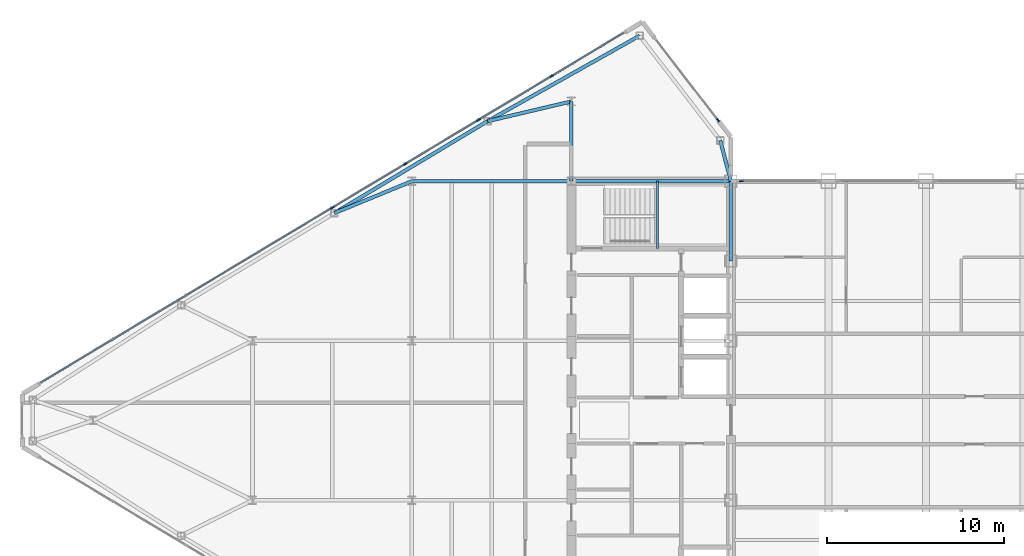
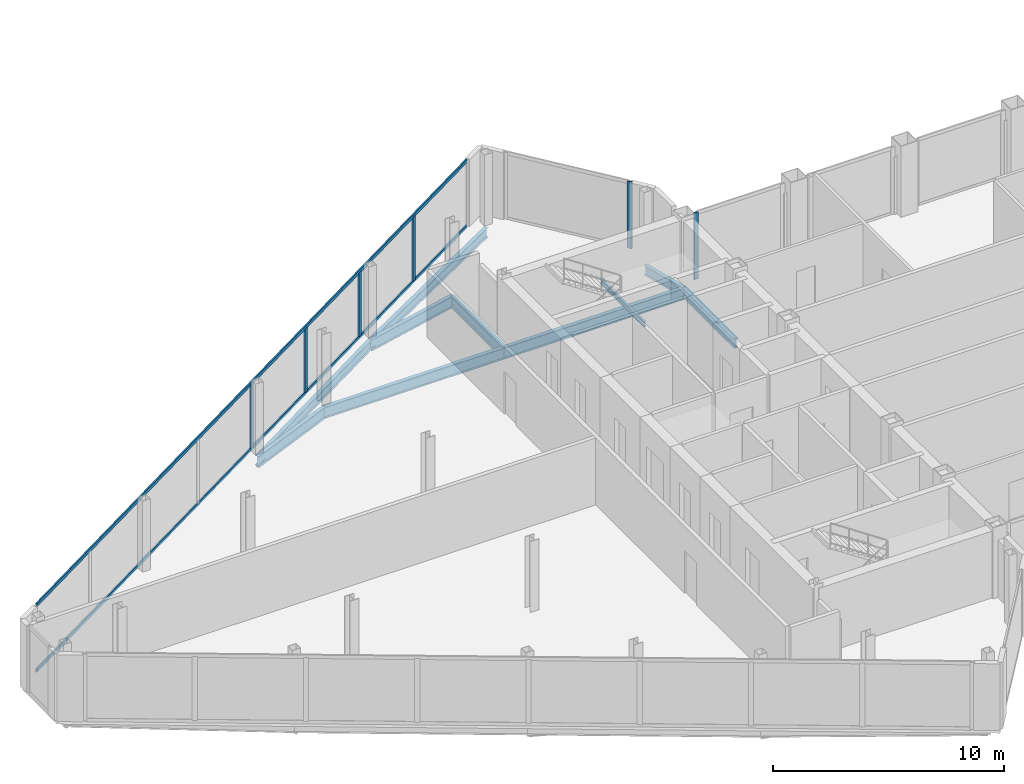
# One storey, part 11 of 29: 10 beams, 8 members, 3 elements without a shape of their own.
"""IFC4 building model written with IfcOpenShell, lengths in metres."""

from ifc_helpers import new_model, si_unit, direction, frame, origin, origin_2d, place, context, subcontext, project, spatial, rectangle, i_section, extrude, source, transform, mapped, material, layer, layer_set, material_profile, profile_set, type_object, type_shapes, element, aggregate, save


model = new_model("IFC4")

# Units and contexts
model_context = context("Model", 3, precision=1e-05, world=origin(), true_north=direction((0.0, 1.0)))
body_context = subcontext(model_context, "Body", "Model", "MODEL_VIEW")
ifc_project = project(units=[si_unit("LENGTHUNIT", "METRE"), si_unit("AREAUNIT", "SQUARE_METRE"), si_unit("VOLUMEUNIT", "CUBIC_METRE"), si_unit("PLANEANGLEUNIT", "RADIAN"), si_unit("MASSUNIT", "GRAM", prefix="KILO")], contexts=[model_context])

# Site, building, storey
site_placement = place(None, origin())
site = spatial("IfcSite", under=ifc_project, at=site_placement, CompositionType="ELEMENT")
building_placement = place(site_placement, origin())
building = spatial("IfcBuilding", under=site, at=building_placement, Name="Seokmaru Belvedere", CompositionType="ELEMENT")
storey_placement = place(building_placement, frame((0.0, 0.0, 258.14990234375)))
storey = spatial("IfcBuildingStorey", under=building, at=storey_placement, Name="L68", CompositionType="ELEMENT", Elevation=258.14990234375)

# Beams
ifc_material_1 = material(Name="Steel SM355 (355 MPa)", Category="steel")
ifc_material_profile_1 = material_profile(ifc_material_1, i_section(OverallWidth=0.199951171875, OverallDepth=0.5, WebThickness=0.010009765625, FlangeThickness=0.01611328125, at=origin_2d()), Name="H-500x200x10x16")
ifc_profile_set_1 = profile_set([ifc_material_profile_1], Name="Steel SM355 (355 MPa)")
beam_type_1 = type_object("IfcBeamType", Name="Perimeter Spandrel Beam H-500", PredefinedType="SPANDREL", material=ifc_profile_set_1)
shared_shape_1 = source(origin(), body_context, "Body", "SweptSolid", [
    extrude(i_section(OverallWidth=0.199951171875, OverallDepth=0.5, WebThickness=0.010009765625, FlangeThickness=0.01611328125, at=origin_2d()), origin(), (0.0, 0.0, 1.0), 4.5),
])
beam_1_placement = place(storey_placement, frame((-27.5, 9.0, -0.469970703125), z_axis=(0.0, 1.0, 0.0), x_axis=(-1.0, 0.0, 0.0)))
element("IfcBeam", 1, at=beam_1_placement, inside=storey, type_object=beam_type_1, Name="L68 W Portal Spine Spandrel 5", PredefinedType="SPANDREL", context=body_context, shape_type="MappedRepresentation", body=[
    mapped(shared_shape_1, transform((0.0, 0.0, 0.0), scale=1.0)),
])
ifc_material_profile_2 = material_profile(ifc_material_1, i_section(OverallWidth=0.199951171875, OverallDepth=0.60009765625, WebThickness=0.010986328125, FlangeThickness=0.01708984375, at=origin_2d()), Name="H-600x200x11x17")
ifc_profile_set_2 = profile_set([ifc_material_profile_2], Name="Steel SM355 (355 MPa)")
beam_type_2 = type_object("IfcBeamType", Name="Primary Floor Girder H-600", PredefinedType="BEAM", material=ifc_profile_set_2)
shared_shape_2 = source(origin(), body_context, "Body", "SweptSolid", [
    extrude(i_section(OverallWidth=0.199951171875, OverallDepth=0.60009765625, WebThickness=0.010986328125, FlangeThickness=0.01708984375, at=origin_2d()), origin(), (0.0, 0.0, 1.0), 9.0),
])
for number, where, z_axis, x_axis, name in (
    (2, (-36.5, 13.5, -0.52001953125), (1.0, 0.0, 0.0), (0.0, 1.0, 0.0), "L68 W Core Tie Girder 4"),
    (3, (-45.5, 13.5, -0.52001953125), (1.0, 0.0, 0.0), (0.0, 1.0, 0.0), "L68 W Wing Primary Girder 4"),
):
    element("IfcBeam", number, at=place(storey_placement, frame(where, z_axis=z_axis, x_axis=x_axis)), inside=storey, type_object=beam_type_2, Name=name, PredefinedType="BEAM", context=body_context, shape_type="MappedRepresentation", body=[
        mapped(shared_shape_2, transform((0.0, 0.0, 0.0), scale=1.0)),
    ])
shared_shape_3 = source(origin(), body_context, "Body", "SweptSolid", [
    extrude(i_section(OverallWidth=0.199951171875, OverallDepth=0.60009765625, WebThickness=0.010986328125, FlangeThickness=0.01708984375, at=origin_2d()), origin(), (0.0, 0.0, 1.0), 4.5),
])
beam_2_placement = place(storey_placement, frame((-36.5, 13.5, -0.52001953125), z_axis=(0.0, 1.0, 0.0), x_axis=(-1.0, 0.0, 0.0)))
element("IfcBeam", 4, at=beam_2_placement, inside=storey, type_object=beam_type_2, Name="L68 W Core Shoulder Girder N", PredefinedType="BEAM", context=body_context, shape_type="MappedRepresentation", body=[
    mapped(shared_shape_3, transform((0.0, 0.0, 0.0), scale=1.0)),
])
shared_shape_4 = source(origin(), body_context, "Body", "SweptSolid", [
    extrude(i_section(OverallWidth=0.199951171875, OverallDepth=0.5, WebThickness=0.010009765625, FlangeThickness=0.01611328125, at=origin_2d()), origin(), (0.0, 0.0, 1.0), 9.842041015625),
])
beam_3_placement = place(storey_placement, frame((-32.649658203125, 21.71044921875, -0.469970703125), z_axis=(-0.871782151818, -0.489893743349, 0.0), x_axis=(0.489893743349, -0.871782151818, 0.0)))
element("IfcBeam", 5, at=beam_3_placement, inside=storey, type_object=beam_type_1, Name="L68 W Faceted Flank Spandrel N-1", PredefinedType="SPANDREL", context=body_context, shape_type="MappedRepresentation", body=[
    mapped(shared_shape_4, transform((0.0, 0.0, 0.0), scale=1.0)),
])
shared_shape_5 = source(origin(), body_context, "Body", "SweptSolid", [
    extrude(i_section(OverallWidth=0.199951171875, OverallDepth=0.5, WebThickness=0.010009765625, FlangeThickness=0.01611328125, at=origin_2d()), origin(), (0.0, 0.0, 1.0), 10.087646484375),
])
beam_4_placement = place(storey_placement, frame((-41.229736328125, 16.888916015625, -0.469970703125), z_axis=(-0.857499332045, -0.514485078056, 0.0), x_axis=(0.514485078056, -0.857499332045, 0.0)))
element("IfcBeam", 6, at=beam_4_placement, inside=storey, type_object=beam_type_1, Name="L68 W Faceted Flank Spandrel N-2", PredefinedType="SPANDREL", context=body_context, shape_type="MappedRepresentation", body=[
    mapped(shared_shape_5, transform((0.0, 0.0, 0.0), scale=1.0)),
])
shared_shape_6 = source(origin(), body_context, "Body", "SweptSolid", [
    extrude(i_section(OverallWidth=0.199951171875, OverallDepth=0.5, WebThickness=0.010009765625, FlangeThickness=0.01611328125, at=origin_2d()), origin(), (0.0, 0.0, 1.0), 2.373046875),
])
type_shapes(beam_type_1, [shared_shape_1, shared_shape_4, shared_shape_5, shared_shape_6])
beam_5_placement = place(storey_placement, frame((-28.10009765625, 15.7958984375, -0.469970703125), z_axis=(0.252882558842, -0.967496982648, 0.0), x_axis=(0.967496982648, 0.252882558842, 0.0)))
element("IfcBeam", 7, at=beam_5_placement, inside=storey, type_object=beam_type_1, Name="L68 W Shoulder Spine Spandrel N", PredefinedType="SPANDREL", context=body_context, shape_type="MappedRepresentation", body=[
    mapped(shared_shape_6, transform((0.0, 0.0, 0.0), scale=1.0)),
])
shared_shape_7 = source(origin(), body_context, "Body", "SweptSolid", [
    extrude(i_section(OverallWidth=0.199951171875, OverallDepth=0.60009765625, WebThickness=0.010986328125, FlangeThickness=0.01708984375, at=origin_2d()), origin(), (0.0, 0.0, 1.0), 4.8583984375),
])
beam_6_placement = place(storey_placement, frame((-41.229736328125, 16.888916015625, -0.52001953125), z_axis=(0.97349948295, 0.228689214211, 0.0), x_axis=(-0.228689214211, 0.97349948295, 0.0)))
element("IfcBeam", 8, at=beam_6_placement, inside=storey, type_object=beam_type_2, Name="L68 W Flank Radial Floor Girder N-1", PredefinedType="BEAM", context=body_context, shape_type="MappedRepresentation", body=[
    mapped(shared_shape_7, transform((0.0, 0.0, 0.0), scale=1.0)),
])
shared_shape_8 = source(origin(), body_context, "Body", "SweptSolid", [
    extrude(i_section(OverallWidth=0.199951171875, OverallDepth=0.60009765625, WebThickness=0.010986328125, FlangeThickness=0.01708984375, at=origin_2d()), origin(), (0.0, 0.0, 1.0), 4.73583984375),
])
type_shapes(beam_type_2, [shared_shape_2, shared_shape_3, shared_shape_7, shared_shape_8])
beam_7_placement = place(storey_placement, frame((-49.8798828125, 11.698974609375, -0.52001953125), z_axis=(0.924860562953, 0.380306375301, 0.0), x_axis=(-0.380306375301, 0.924860562953, 0.0)))
element("IfcBeam", 9, at=beam_7_placement, inside=storey, type_object=beam_type_2, Name="L68 W Flank Radial Floor Girder N-2", PredefinedType="BEAM", context=body_context, shape_type="MappedRepresentation", body=[
    mapped(shared_shape_8, transform((0.0, 0.0, 0.0), scale=1.0)),
])

# Curtain wall, members
ifc_material_2 = material(Name="Bronze Triple Insulating Glass", Category="glass")
ifc_layer = layer(ifc_material_2, 0.219970703125)
ifc_layer_set = layer_set([ifc_layer], Name="Bronze Triple Insulating Glass")
curtain_wall_type = type_object("IfcCurtainWallType", Name="Sky-Gate Bridge Panorama Curtain Wall System CW-6", PredefinedType="NOTDEFINED", material=ifc_layer_set)
curtain_wall_1_placement = place(storey_placement, origin())
curtain_wall_1 = element("IfcCurtainWall", 10, at=curtain_wall_1_placement, inside=storey, type_object=curtain_wall_type, Name="L68 Curtain Wall WF3", PredefinedType="NOTDEFINED")
ifc_material_3 = material(Name="Anodised Bronze Aluminium", Category="aluminium")
ifc_material_profile_3 = material_profile(ifc_material_3, rectangle(XDim=0.074951171875, YDim=0.179931640625, at=origin_2d()), Name="CW-T-75x180")
ifc_profile_set_3 = profile_set([ifc_material_profile_3], Name="Anodised Bronze Aluminium")
member_type_1 = type_object("IfcMemberType", Name="Bronze Unitised Transom 75x180", PredefinedType="USERDEFINED", material=ifc_profile_set_3)
shared_shape_9 = source(origin(), body_context, "Body", "SweptSolid", [
    extrude(rectangle(XDim=0.074951171875, YDim=0.179931640625, at=origin_2d()), origin(), (0.0, 0.0, 1.0), 38.356689453125),
])
type_shapes(member_type_1, [shared_shape_9])
member_1_placement = place(storey_placement, frame((-33.5546875, 21.8671875, 0.03759765625), z_axis=(-0.857492925713, -0.514495755428, 0.0), x_axis=(0.514495755428, -0.857492925713, 0.0)))
member_1 = element("IfcMember", 11, at=member_1_placement, type_object=member_type_1, Name="CW:L68:WF3 Continuous Transom 1", ObjectType="TRANSOM", PredefinedType="USERDEFINED", context=body_context, shape_type="MappedRepresentation", body=[
    mapped(shared_shape_9, transform((0.0, 0.0, 0.0), scale=1.0)),
])
member_2_placement = place(storey_placement, frame((-33.5546875, 21.8671875, 3.49267578125), z_axis=(-0.857492925713, -0.514495755428, 0.0), x_axis=(0.514495755428, -0.857492925713, 0.0)))
member_2 = element("IfcMember", 12, at=member_2_placement, type_object=member_type_1, Name="CW:L68:WF3 Continuous Transom 2", ObjectType="TRANSOM", PredefinedType="USERDEFINED", context=body_context, shape_type="MappedRepresentation", body=[
    mapped(shared_shape_9, transform((0.0, 0.0, 0.0), scale=1.0)),
])

# Curtain wall, member
curtain_wall_2_placement = place(storey_placement, origin())
curtain_wall_2 = element("IfcCurtainWall", 13, at=curtain_wall_2_placement, inside=storey, type_object=curtain_wall_type, Name="L68 Curtain Wall WF2", PredefinedType="NOTDEFINED")
ifc_material_profile_4 = material_profile(ifc_material_3, rectangle(XDim=0.080078125, YDim=0.219970703125, at=origin_2d()), Name="CW-M-80x220")
ifc_profile_set_4 = profile_set([ifc_material_profile_4], Name="Anodised Bronze Aluminium")
member_type_2 = type_object("IfcMemberType", Name="Bronze Unitised Mullion 80x220", PredefinedType="MULLION", material=ifc_profile_set_4)
shared_shape_10 = source(origin(), body_context, "Body", "SweptSolid", [
    extrude(rectangle(XDim=0.080078125, YDim=0.219970703125, at=origin_2d()), origin(), (0.0, 0.0, 1.0), 3.530029296875),
])
member_3_placement = place(storey_placement, frame((-28.2255859375, 16.943115234375, 0.0), z_axis=(0.0, 0.0, 1.0), x_axis=(-0.792631353244, -0.609701187349, 0.0)))
member_3 = element("IfcMember", 14, at=member_3_placement, type_object=member_type_2, Name="CW:L68:WF2 Mullion 1", PredefinedType="MULLION", context=body_context, shape_type="MappedRepresentation", body=[
    mapped(shared_shape_10, transform((0.0, 0.0, 0.0), scale=1.0)),
])
aggregate(curtain_wall_2, [member_3])

curtain_wall_3_placement = place(storey_placement, origin())
curtain_wall_3 = element("IfcCurtainWall", 15, at=curtain_wall_3_placement, inside=storey, type_object=curtain_wall_type, Name="L68 Curtain Wall BR_N01", PredefinedType="NOTDEFINED")
member_4_placement = place(storey_placement, frame((-26.909912109375, 13.5, 0.0), z_axis=(0.0, 0.0, 1.0), x_axis=(0.0, -1.0, 0.0)))
member_4 = element("IfcMember", 16, at=member_4_placement, type_object=member_type_2, Name="CW:L68:BR_N01 Mullion 2", PredefinedType="MULLION", context=body_context, shape_type="MappedRepresentation", body=[
    mapped(shared_shape_10, transform((0.0, 0.0, 0.0), scale=1.0)),
])
aggregate(curtain_wall_3, [member_4])

# Member
shared_shape_11 = source(origin(), body_context, "Body", "SweptSolid", [
    extrude(rectangle(XDim=0.080078125, YDim=0.219970703125, at=origin_2d()), origin(), (0.0, 0.0, 1.0), 3.3798828125),
])
type_shapes(member_type_2, [shared_shape_10, shared_shape_11])
member_5_placement = place(storey_placement, frame((-37.614501953125, 19.43115234375, 0.0751953125), z_axis=(0.0, 0.0, 1.0), x_axis=(0.514494909364, -0.85749343335, 0.0)))
member_5 = element("IfcMember", 17, at=member_5_placement, type_object=member_type_2, Name="CW:L68:WF3 Mullion 2", PredefinedType="MULLION", context=body_context, shape_type="MappedRepresentation", body=[
    mapped(shared_shape_11, transform((0.0, 0.0, 0.0), scale=1.0)),
])

member_6_placement = place(storey_placement, frame((-41.7431640625, 16.9541015625, 0.0751953125), z_axis=(0.0, 0.0, 1.0), x_axis=(0.514494909364, -0.85749343335, 0.0)))
member_6 = element("IfcMember", 18, at=member_6_placement, type_object=member_type_2, Name="CW:L68:WF3 Mullion 3", PredefinedType="MULLION", context=body_context, shape_type="MappedRepresentation", body=[
    mapped(shared_shape_11, transform((0.0, 0.0, 0.0), scale=1.0)),
])

member_7_placement = place(storey_placement, frame((-45.87158203125, 14.47705078125, 0.0751953125), z_axis=(0.0, 0.0, 1.0), x_axis=(0.514494909364, -0.85749343335, 0.0)))
member_7 = element("IfcMember", 19, at=member_7_placement, type_object=member_type_2, Name="CW:L68:WF3 Mullion 4", PredefinedType="MULLION", context=body_context, shape_type="MappedRepresentation", body=[
    mapped(shared_shape_11, transform((0.0, 0.0, 0.0), scale=1.0)),
])

member_8_placement = place(storey_placement, frame((-50.0, 12.0, 0.0751953125), z_axis=(0.0, 0.0, 1.0), x_axis=(0.514494909364, -0.85749343335, 0.0)))
member_8 = element("IfcMember", 20, at=member_8_placement, type_object=member_type_2, Name="CW:L68:WF3 Mullion 5", PredefinedType="MULLION", context=body_context, shape_type="MappedRepresentation", body=[
    mapped(shared_shape_11, transform((0.0, 0.0, 0.0), scale=1.0)),
])

aggregate(curtain_wall_1, [member_5, member_6, member_7, member_8, member_1, member_2])

# Beam
ifc_material_profile_5 = material_profile(ifc_material_1, i_section(OverallWidth=0.125, OverallDepth=0.25, WebThickness=0.006103515625, FlangeThickness=0.009033203125, at=origin_2d()), Name="H-250x125x6x9")
ifc_profile_set_5 = profile_set([ifc_material_profile_5], Name="Steel SM355 (355 MPa)")
beam_type_3 = type_object("IfcBeamType", Name="Stair Mid-Landing Support Beam H-250", PredefinedType="JOIST", material=ifc_profile_set_5)
shared_shape_12 = source(origin(), body_context, "Body", "SweptSolid", [
    extrude(i_section(OverallWidth=0.125, OverallDepth=0.25, WebThickness=0.006103515625, FlangeThickness=0.009033203125, at=origin_2d()), origin(), (0.0, 0.0, 1.0), 3.800048828125),
])
type_shapes(beam_type_3, [shared_shape_12])
beam_8_placement = place(storey_placement, frame((-31.64990234375, 9.699951171875, 1.550048828125), z_axis=(0.0, 1.0, 0.0), x_axis=(-1.0, 0.0, 0.0)))
element("IfcBeam", 21, at=beam_8_placement, inside=storey, type_object=beam_type_3, Name="L68 Stair ST-W2 Mid-Landing Support Beam 1", PredefinedType="JOIST", context=body_context, shape_type="MappedRepresentation", body=[
    mapped(shared_shape_12, transform((0.0, 0.0, 0.0), scale=1.0)),
])

save(model, "model.ifc")
